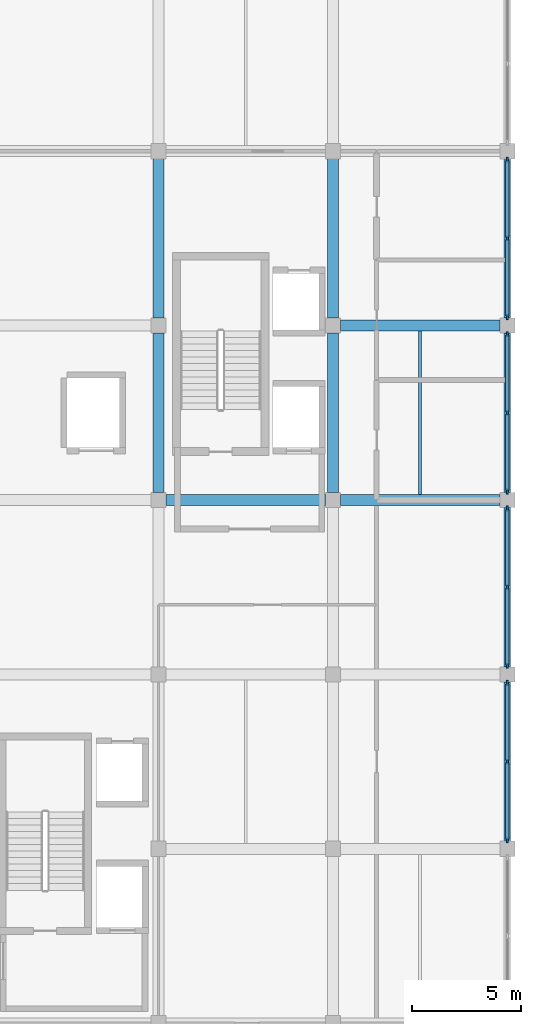
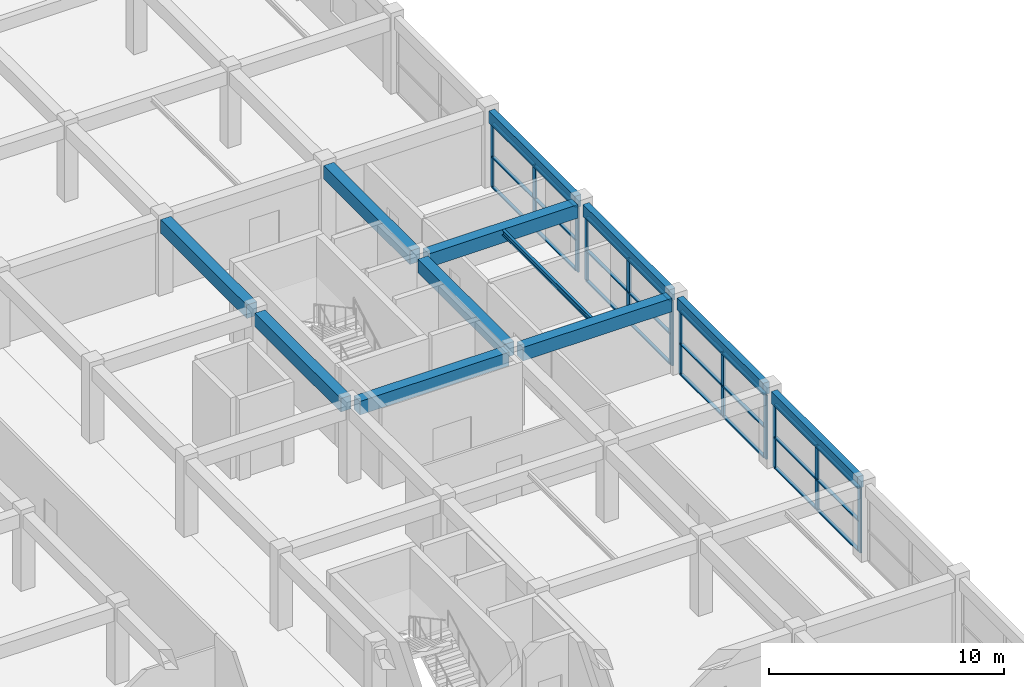
# One storey, part 23 of 67: 36 members, 12 beams, 4 elements without a shape of their own.
"""IFC4 building model written with IfcOpenShell, lengths in metres."""

from ifc_helpers import new_model, si_unit, direction, frame, origin, origin_2d, place, context, subcontext, project, spatial, rectangle, i_section, extrude, material, material_profile, profile_set, type_object, element, aggregate, save


model = new_model("IFC4")

# Units and contexts
model_context = context("Model", 3, precision=1e-05, world=origin(), true_north=direction((0.0, 1.0)))
body_context = subcontext(model_context, "Body", "Model", "MODEL_VIEW")
ifc_project = project(units=[si_unit("LENGTHUNIT", "METRE"), si_unit("AREAUNIT", "SQUARE_METRE"), si_unit("VOLUMEUNIT", "CUBIC_METRE"), si_unit("PLANEANGLEUNIT", "RADIAN"), si_unit("MASSUNIT", "GRAM", prefix="KILO")], contexts=[model_context])

# Site, building, storey
site_placement = place(None, origin())
site = spatial("IfcSite", under=ifc_project, at=site_placement, CompositionType="ELEMENT")
building_placement = place(site_placement, origin())
building = spatial("IfcBuilding", under=site, at=building_placement, Name="Kenh Van Central Station", CompositionType="ELEMENT")
storey_placement = place(building_placement, frame((0.0, 0.0, 10.800048828125)))
storey = spatial("IfcBuildingStorey", under=building, at=storey_placement, Name="L02", CompositionType="ELEMENT", Elevation=10.800048828125)

# Beams
ifc_material_1 = material(Name="Concrete C35/45", Category="concrete")
ifc_material_profile_1 = material_profile(ifc_material_1, rectangle(XDim=0.5, YDim=0.699951171875, at=origin_2d()), Name="RC 500x700")
ifc_profile_set_1 = profile_set([ifc_material_profile_1], Name="Concrete C35/45")
beam_type_1 = type_object("IfcBeamType", Name="BM-RC-500x700", PredefinedType="BEAM", material=ifc_profile_set_1)
for number, where, z_axis, x_axis, name in (
    (1, (160.340087890625, 48.0, 3.599853515625), (1.0, 0.0, 0.0), (0.0, 1.0, 0.0), "L02 beam 0978"),
    (2, (168.340087890625, 48.0, 3.599853515625), (1.0, 0.0, 0.0), (0.0, 1.0, 0.0), "L02 beam 0979"),
    (3, (168.340087890625, 56.0, 3.599853515625), (1.0, 0.0, 0.0), (0.0, 1.0, 0.0), "L02 beam 0985"),
    (4, (160.0, 48.340087890625, 3.599853515625), (0.0, 1.0, 0.0), (-1.0, 0.0, 0.0), "L02 beam 1069"),
    (5, (160.0, 56.340087890625, 3.599853515625), (0.0, 1.0, 0.0), (-1.0, 0.0, 0.0), "L02 beam 1070"),
    (6, (168.0, 48.340087890625, 3.599853515625), (0.0, 1.0, 0.0), (-1.0, 0.0, 0.0), "L02 beam 1078"),
    (7, (168.0, 56.340087890625, 3.599853515625), (0.0, 1.0, 0.0), (-1.0, 0.0, 0.0), "L02 beam 1079"),
):
    element("IfcBeam", number, at=place(storey_placement, frame(where, z_axis=z_axis, x_axis=x_axis)), inside=storey, type_object=beam_type_1, Name=name, PredefinedType="BEAM", context=body_context, shape_type="SweptSolid", body=[
        extrude(rectangle(XDim=0.5, YDim=0.699951171875, at=origin_2d()), origin(), (0.0, 0.0, 1.0), 7.31982421875),
    ])

# Curtain wall, members
ifc_material_2 = material(Name="Champagne anodised aluminium", Category="aluminium")
curtain_wall_type = type_object("IfcCurtainWallType", Name="CW-OPER-A", PredefinedType="NOTDEFINED", material=ifc_material_2)
curtain_wall_1_placement = place(storey_placement, origin())
curtain_wall_1 = element("IfcCurtainWall", 8, at=curtain_wall_1_placement, inside=storey, type_object=curtain_wall_type, Name="L02 curtain wall 192", PredefinedType="NOTDEFINED")
ifc_material_profile_2 = material_profile(ifc_material_2, rectangle(XDim=0.087890625, YDim=0.239990234375, at=origin_2d()), Name="AL 88x240")
ifc_profile_set_2 = profile_set([ifc_material_profile_2], Name="Champagne anodised aluminium")
member_type_1 = type_object("IfcMemberType", Name="CWM-60x140", PredefinedType="MULLION", material=ifc_profile_set_2)
member_1_placement = place(storey_placement, frame((176.0, 32.39404296875, 0.0), z_axis=(0.0, 0.0, 1.0), x_axis=(-1.0, 0.0, 0.0)))
member_1 = element("IfcMember", 9, at=member_1_placement, type_object=member_type_1, Name="CW-07 mullion 1", PredefinedType="MULLION", context=body_context, shape_type="SweptSolid", body=[
    extrude(rectangle(XDim=0.087890625, YDim=0.239990234375, at=origin_2d()), origin(), (0.0, 0.0, 1.0), 3.329833984375),
])
member_2_placement = place(storey_placement, frame((176.0, 36.0, 0.0), z_axis=(0.0, 0.0, 1.0), x_axis=(-1.0, 0.0, 0.0)))
member_2 = element("IfcMember", 10, at=member_2_placement, type_object=member_type_1, Name="CW-07 mullion 2", PredefinedType="MULLION", context=body_context, shape_type="SweptSolid", body=[
    extrude(rectangle(XDim=0.087890625, YDim=0.239990234375, at=origin_2d()), origin(), (0.0, 0.0, 1.0), 3.329833984375),
])
member_3_placement = place(storey_placement, frame((176.0, 39.60595703125, 0.0), z_axis=(0.0, 0.0, 1.0), x_axis=(-1.0, 0.0, 0.0)))
member_3 = element("IfcMember", 11, at=member_3_placement, type_object=member_type_1, Name="CW-07 mullion 3", PredefinedType="MULLION", context=body_context, shape_type="SweptSolid", body=[
    extrude(rectangle(XDim=0.087890625, YDim=0.239990234375, at=origin_2d()), origin(), (0.0, 0.0, 1.0), 3.329833984375),
])

curtain_wall_2_placement = place(storey_placement, origin())
curtain_wall_2 = element("IfcCurtainWall", 12, at=curtain_wall_2_placement, inside=storey, type_object=curtain_wall_type, Name="L02 curtain wall 193", PredefinedType="NOTDEFINED")
member_4_placement = place(storey_placement, frame((176.0, 40.39404296875, 0.0), z_axis=(0.0, 0.0, 1.0), x_axis=(-1.0, 0.0, 0.0)))
member_4 = element("IfcMember", 13, at=member_4_placement, type_object=member_type_1, Name="CW-07 mullion 1", PredefinedType="MULLION", context=body_context, shape_type="SweptSolid", body=[
    extrude(rectangle(XDim=0.087890625, YDim=0.239990234375, at=origin_2d()), origin(), (0.0, 0.0, 1.0), 3.329833984375),
])
member_5_placement = place(storey_placement, frame((176.0, 44.0, 0.0), z_axis=(0.0, 0.0, 1.0), x_axis=(-1.0, 0.0, 0.0)))
member_5 = element("IfcMember", 14, at=member_5_placement, type_object=member_type_1, Name="CW-07 mullion 2", PredefinedType="MULLION", context=body_context, shape_type="SweptSolid", body=[
    extrude(rectangle(XDim=0.087890625, YDim=0.239990234375, at=origin_2d()), origin(), (0.0, 0.0, 1.0), 3.329833984375),
])
member_6_placement = place(storey_placement, frame((176.0, 47.60595703125, 0.0), z_axis=(0.0, 0.0, 1.0), x_axis=(-1.0, 0.0, 0.0)))
member_6 = element("IfcMember", 15, at=member_6_placement, type_object=member_type_1, Name="CW-07 mullion 3", PredefinedType="MULLION", context=body_context, shape_type="SweptSolid", body=[
    extrude(rectangle(XDim=0.087890625, YDim=0.239990234375, at=origin_2d()), origin(), (0.0, 0.0, 1.0), 3.329833984375),
])

curtain_wall_3_placement = place(storey_placement, origin())
curtain_wall_3 = element("IfcCurtainWall", 16, at=curtain_wall_3_placement, inside=storey, type_object=curtain_wall_type, Name="L02 curtain wall 194", PredefinedType="NOTDEFINED")
member_7_placement = place(storey_placement, frame((176.0, 48.39404296875, 0.0), z_axis=(0.0, 0.0, 1.0), x_axis=(-1.0, 0.0, 0.0)))
member_7 = element("IfcMember", 17, at=member_7_placement, type_object=member_type_1, Name="CW-07 mullion 1", PredefinedType="MULLION", context=body_context, shape_type="SweptSolid", body=[
    extrude(rectangle(XDim=0.087890625, YDim=0.239990234375, at=origin_2d()), origin(), (0.0, 0.0, 1.0), 3.329833984375),
])
member_8_placement = place(storey_placement, frame((176.0, 52.0, 0.0), z_axis=(0.0, 0.0, 1.0), x_axis=(-1.0, 0.0, 0.0)))
member_8 = element("IfcMember", 18, at=member_8_placement, type_object=member_type_1, Name="CW-07 mullion 2", PredefinedType="MULLION", context=body_context, shape_type="SweptSolid", body=[
    extrude(rectangle(XDim=0.087890625, YDim=0.239990234375, at=origin_2d()), origin(), (0.0, 0.0, 1.0), 3.329833984375),
])
member_9_placement = place(storey_placement, frame((176.0, 55.60595703125, 0.0), z_axis=(0.0, 0.0, 1.0), x_axis=(-1.0, 0.0, 0.0)))
member_9 = element("IfcMember", 19, at=member_9_placement, type_object=member_type_1, Name="CW-07 mullion 3", PredefinedType="MULLION", context=body_context, shape_type="SweptSolid", body=[
    extrude(rectangle(XDim=0.087890625, YDim=0.239990234375, at=origin_2d()), origin(), (0.0, 0.0, 1.0), 3.329833984375),
])

curtain_wall_4_placement = place(storey_placement, origin())
curtain_wall_4 = element("IfcCurtainWall", 20, at=curtain_wall_4_placement, inside=storey, type_object=curtain_wall_type, Name="L02 curtain wall 195", PredefinedType="NOTDEFINED")
member_10_placement = place(storey_placement, frame((176.0, 56.39404296875, 0.0), z_axis=(0.0, 0.0, 1.0), x_axis=(-1.0, 0.0, 0.0)))
member_10 = element("IfcMember", 21, at=member_10_placement, type_object=member_type_1, Name="CW-07 mullion 1", PredefinedType="MULLION", context=body_context, shape_type="SweptSolid", body=[
    extrude(rectangle(XDim=0.087890625, YDim=0.239990234375, at=origin_2d()), origin(), (0.0, 0.0, 1.0), 3.329833984375),
])
member_11_placement = place(storey_placement, frame((176.0, 60.0, 0.0), z_axis=(0.0, 0.0, 1.0), x_axis=(-1.0, 0.0, 0.0)))
member_11 = element("IfcMember", 22, at=member_11_placement, type_object=member_type_1, Name="CW-07 mullion 2", PredefinedType="MULLION", context=body_context, shape_type="SweptSolid", body=[
    extrude(rectangle(XDim=0.087890625, YDim=0.239990234375, at=origin_2d()), origin(), (0.0, 0.0, 1.0), 3.329833984375),
])
member_12_placement = place(storey_placement, frame((176.0, 63.60595703125, 0.0), z_axis=(0.0, 0.0, 1.0), x_axis=(-1.0, 0.0, 0.0)))
member_12 = element("IfcMember", 23, at=member_12_placement, type_object=member_type_1, Name="CW-07 mullion 3", PredefinedType="MULLION", context=body_context, shape_type="SweptSolid", body=[
    extrude(rectangle(XDim=0.087890625, YDim=0.239990234375, at=origin_2d()), origin(), (0.0, 0.0, 1.0), 3.329833984375),
])

# Member
ifc_material_profile_3 = material_profile(ifc_material_2, rectangle(XDim=0.155029296875, YDim=0.072021484375, at=origin_2d()), Name="AL 155x72")
ifc_profile_set_3 = profile_set([ifc_material_profile_3], Name="Champagne anodised aluminium")
member_type_2 = type_object("IfcMemberType", Name="CWT-120x60", PredefinedType="USERDEFINED", material=ifc_profile_set_3)
member_13_placement = place(storey_placement, frame((176.0, 32.43798828125, 0.035888671875), z_axis=(0.0, 1.0, 0.0), x_axis=(-1.0, 0.0, 0.0)))
member_13 = element("IfcMember", 24, at=member_13_placement, type_object=member_type_2, Name="CW-07 transom 1.1", ObjectType="TRANSOM", PredefinedType="USERDEFINED", context=body_context, shape_type="SweptSolid", body=[
    extrude(rectangle(XDim=0.155029296875, YDim=0.072021484375, at=origin_2d()), origin(), (0.0, 0.0, 1.0), 3.51806640625),
])

member_14_placement = place(storey_placement, frame((176.0, 32.43798828125, 1.598388671875), z_axis=(0.0, 1.0, 0.0), x_axis=(-1.0, 0.0, 0.0)))
member_14 = element("IfcMember", 25, at=member_14_placement, type_object=member_type_2, Name="CW-07 transom 1.2", ObjectType="TRANSOM", PredefinedType="USERDEFINED", context=body_context, shape_type="SweptSolid", body=[
    extrude(rectangle(XDim=0.155029296875, YDim=0.072021484375, at=origin_2d()), origin(), (0.0, 0.0, 1.0), 3.51806640625),
])

member_15_placement = place(storey_placement, frame((176.0, 32.43798828125, 3.2939453125), z_axis=(0.0, 1.0, 0.0), x_axis=(-1.0, 0.0, 0.0)))
member_15 = element("IfcMember", 26, at=member_15_placement, type_object=member_type_2, Name="CW-07 transom 1.3", ObjectType="TRANSOM", PredefinedType="USERDEFINED", context=body_context, shape_type="SweptSolid", body=[
    extrude(rectangle(XDim=0.155029296875, YDim=0.072021484375, at=origin_2d()), origin(), (0.0, 0.0, 1.0), 3.51806640625),
])

member_16_placement = place(storey_placement, frame((176.0, 36.0439453125, 0.035888671875), z_axis=(0.0, 1.0, 0.0), x_axis=(-1.0, 0.0, 0.0)))
member_16 = element("IfcMember", 27, at=member_16_placement, type_object=member_type_2, Name="CW-07 transom 2.1", ObjectType="TRANSOM", PredefinedType="USERDEFINED", context=body_context, shape_type="SweptSolid", body=[
    extrude(rectangle(XDim=0.155029296875, YDim=0.072021484375, at=origin_2d()), origin(), (0.0, 0.0, 1.0), 3.51806640625),
])

member_17_placement = place(storey_placement, frame((176.0, 36.0439453125, 1.598388671875), z_axis=(0.0, 1.0, 0.0), x_axis=(-1.0, 0.0, 0.0)))
member_17 = element("IfcMember", 28, at=member_17_placement, type_object=member_type_2, Name="CW-07 transom 2.2", ObjectType="TRANSOM", PredefinedType="USERDEFINED", context=body_context, shape_type="SweptSolid", body=[
    extrude(rectangle(XDim=0.155029296875, YDim=0.072021484375, at=origin_2d()), origin(), (0.0, 0.0, 1.0), 3.51806640625),
])

member_18_placement = place(storey_placement, frame((176.0, 36.0439453125, 3.2939453125), z_axis=(0.0, 1.0, 0.0), x_axis=(-1.0, 0.0, 0.0)))
member_18 = element("IfcMember", 29, at=member_18_placement, type_object=member_type_2, Name="CW-07 transom 2.3", ObjectType="TRANSOM", PredefinedType="USERDEFINED", context=body_context, shape_type="SweptSolid", body=[
    extrude(rectangle(XDim=0.155029296875, YDim=0.072021484375, at=origin_2d()), origin(), (0.0, 0.0, 1.0), 3.51806640625),
])

aggregate(curtain_wall_1, [member_1, member_2, member_3, member_13, member_14, member_15, member_16, member_17, member_18])

member_19_placement = place(storey_placement, frame((176.0, 40.43798828125, 0.035888671875), z_axis=(0.0, 1.0, 0.0), x_axis=(-1.0, 0.0, 0.0)))
member_19 = element("IfcMember", 30, at=member_19_placement, type_object=member_type_2, Name="CW-07 transom 1.1", ObjectType="TRANSOM", PredefinedType="USERDEFINED", context=body_context, shape_type="SweptSolid", body=[
    extrude(rectangle(XDim=0.155029296875, YDim=0.072021484375, at=origin_2d()), origin(), (0.0, 0.0, 1.0), 3.51806640625),
])

member_20_placement = place(storey_placement, frame((176.0, 40.43798828125, 1.598388671875), z_axis=(0.0, 1.0, 0.0), x_axis=(-1.0, 0.0, 0.0)))
member_20 = element("IfcMember", 31, at=member_20_placement, type_object=member_type_2, Name="CW-07 transom 1.2", ObjectType="TRANSOM", PredefinedType="USERDEFINED", context=body_context, shape_type="SweptSolid", body=[
    extrude(rectangle(XDim=0.155029296875, YDim=0.072021484375, at=origin_2d()), origin(), (0.0, 0.0, 1.0), 3.51806640625),
])

member_21_placement = place(storey_placement, frame((176.0, 40.43798828125, 3.2939453125), z_axis=(0.0, 1.0, 0.0), x_axis=(-1.0, 0.0, 0.0)))
member_21 = element("IfcMember", 32, at=member_21_placement, type_object=member_type_2, Name="CW-07 transom 1.3", ObjectType="TRANSOM", PredefinedType="USERDEFINED", context=body_context, shape_type="SweptSolid", body=[
    extrude(rectangle(XDim=0.155029296875, YDim=0.072021484375, at=origin_2d()), origin(), (0.0, 0.0, 1.0), 3.51806640625),
])

member_22_placement = place(storey_placement, frame((176.0, 44.0439453125, 0.035888671875), z_axis=(0.0, 1.0, 0.0), x_axis=(-1.0, 0.0, 0.0)))
member_22 = element("IfcMember", 33, at=member_22_placement, type_object=member_type_2, Name="CW-07 transom 2.1", ObjectType="TRANSOM", PredefinedType="USERDEFINED", context=body_context, shape_type="SweptSolid", body=[
    extrude(rectangle(XDim=0.155029296875, YDim=0.072021484375, at=origin_2d()), origin(), (0.0, 0.0, 1.0), 3.51806640625),
])

member_23_placement = place(storey_placement, frame((176.0, 44.0439453125, 1.598388671875), z_axis=(0.0, 1.0, 0.0), x_axis=(-1.0, 0.0, 0.0)))
member_23 = element("IfcMember", 34, at=member_23_placement, type_object=member_type_2, Name="CW-07 transom 2.2", ObjectType="TRANSOM", PredefinedType="USERDEFINED", context=body_context, shape_type="SweptSolid", body=[
    extrude(rectangle(XDim=0.155029296875, YDim=0.072021484375, at=origin_2d()), origin(), (0.0, 0.0, 1.0), 3.51806640625),
])

member_24_placement = place(storey_placement, frame((176.0, 44.0439453125, 3.2939453125), z_axis=(0.0, 1.0, 0.0), x_axis=(-1.0, 0.0, 0.0)))
member_24 = element("IfcMember", 35, at=member_24_placement, type_object=member_type_2, Name="CW-07 transom 2.3", ObjectType="TRANSOM", PredefinedType="USERDEFINED", context=body_context, shape_type="SweptSolid", body=[
    extrude(rectangle(XDim=0.155029296875, YDim=0.072021484375, at=origin_2d()), origin(), (0.0, 0.0, 1.0), 3.51806640625),
])

aggregate(curtain_wall_2, [member_4, member_5, member_6, member_19, member_20, member_21, member_22, member_23, member_24])

member_25_placement = place(storey_placement, frame((176.0, 48.43798828125, 0.035888671875), z_axis=(0.0, 1.0, 0.0), x_axis=(-1.0, 0.0, 0.0)))
member_25 = element("IfcMember", 36, at=member_25_placement, type_object=member_type_2, Name="CW-07 transom 1.1", ObjectType="TRANSOM", PredefinedType="USERDEFINED", context=body_context, shape_type="SweptSolid", body=[
    extrude(rectangle(XDim=0.155029296875, YDim=0.072021484375, at=origin_2d()), origin(), (0.0, 0.0, 1.0), 3.51806640625),
])

member_26_placement = place(storey_placement, frame((176.0, 48.43798828125, 1.598388671875), z_axis=(0.0, 1.0, 0.0), x_axis=(-1.0, 0.0, 0.0)))
member_26 = element("IfcMember", 37, at=member_26_placement, type_object=member_type_2, Name="CW-07 transom 1.2", ObjectType="TRANSOM", PredefinedType="USERDEFINED", context=body_context, shape_type="SweptSolid", body=[
    extrude(rectangle(XDim=0.155029296875, YDim=0.072021484375, at=origin_2d()), origin(), (0.0, 0.0, 1.0), 3.51806640625),
])

member_27_placement = place(storey_placement, frame((176.0, 48.43798828125, 3.2939453125), z_axis=(0.0, 1.0, 0.0), x_axis=(-1.0, 0.0, 0.0)))
member_27 = element("IfcMember", 38, at=member_27_placement, type_object=member_type_2, Name="CW-07 transom 1.3", ObjectType="TRANSOM", PredefinedType="USERDEFINED", context=body_context, shape_type="SweptSolid", body=[
    extrude(rectangle(XDim=0.155029296875, YDim=0.072021484375, at=origin_2d()), origin(), (0.0, 0.0, 1.0), 3.51806640625),
])

member_28_placement = place(storey_placement, frame((176.0, 52.0439453125, 0.035888671875), z_axis=(0.0, 1.0, 0.0), x_axis=(-1.0, 0.0, 0.0)))
member_28 = element("IfcMember", 39, at=member_28_placement, type_object=member_type_2, Name="CW-07 transom 2.1", ObjectType="TRANSOM", PredefinedType="USERDEFINED", context=body_context, shape_type="SweptSolid", body=[
    extrude(rectangle(XDim=0.155029296875, YDim=0.072021484375, at=origin_2d()), origin(), (0.0, 0.0, 1.0), 3.51806640625),
])

member_29_placement = place(storey_placement, frame((176.0, 52.0439453125, 1.598388671875), z_axis=(0.0, 1.0, 0.0), x_axis=(-1.0, 0.0, 0.0)))
member_29 = element("IfcMember", 40, at=member_29_placement, type_object=member_type_2, Name="CW-07 transom 2.2", ObjectType="TRANSOM", PredefinedType="USERDEFINED", context=body_context, shape_type="SweptSolid", body=[
    extrude(rectangle(XDim=0.155029296875, YDim=0.072021484375, at=origin_2d()), origin(), (0.0, 0.0, 1.0), 3.51806640625),
])

member_30_placement = place(storey_placement, frame((176.0, 52.0439453125, 3.2939453125), z_axis=(0.0, 1.0, 0.0), x_axis=(-1.0, 0.0, 0.0)))
member_30 = element("IfcMember", 41, at=member_30_placement, type_object=member_type_2, Name="CW-07 transom 2.3", ObjectType="TRANSOM", PredefinedType="USERDEFINED", context=body_context, shape_type="SweptSolid", body=[
    extrude(rectangle(XDim=0.155029296875, YDim=0.072021484375, at=origin_2d()), origin(), (0.0, 0.0, 1.0), 3.51806640625),
])

aggregate(curtain_wall_3, [member_7, member_8, member_9, member_25, member_26, member_27, member_28, member_29, member_30])

member_31_placement = place(storey_placement, frame((176.0, 56.43798828125, 0.035888671875), z_axis=(0.0, 1.0, 0.0), x_axis=(-1.0, 0.0, 0.0)))
member_31 = element("IfcMember", 42, at=member_31_placement, type_object=member_type_2, Name="CW-07 transom 1.1", ObjectType="TRANSOM", PredefinedType="USERDEFINED", context=body_context, shape_type="SweptSolid", body=[
    extrude(rectangle(XDim=0.155029296875, YDim=0.072021484375, at=origin_2d()), origin(), (0.0, 0.0, 1.0), 3.51806640625),
])

member_32_placement = place(storey_placement, frame((176.0, 56.43798828125, 1.598388671875), z_axis=(0.0, 1.0, 0.0), x_axis=(-1.0, 0.0, 0.0)))
member_32 = element("IfcMember", 43, at=member_32_placement, type_object=member_type_2, Name="CW-07 transom 1.2", ObjectType="TRANSOM", PredefinedType="USERDEFINED", context=body_context, shape_type="SweptSolid", body=[
    extrude(rectangle(XDim=0.155029296875, YDim=0.072021484375, at=origin_2d()), origin(), (0.0, 0.0, 1.0), 3.51806640625),
])

member_33_placement = place(storey_placement, frame((176.0, 56.43798828125, 3.2939453125), z_axis=(0.0, 1.0, 0.0), x_axis=(-1.0, 0.0, 0.0)))
member_33 = element("IfcMember", 44, at=member_33_placement, type_object=member_type_2, Name="CW-07 transom 1.3", ObjectType="TRANSOM", PredefinedType="USERDEFINED", context=body_context, shape_type="SweptSolid", body=[
    extrude(rectangle(XDim=0.155029296875, YDim=0.072021484375, at=origin_2d()), origin(), (0.0, 0.0, 1.0), 3.51806640625),
])

member_34_placement = place(storey_placement, frame((176.0, 60.0439453125, 0.035888671875), z_axis=(0.0, 1.0, 0.0), x_axis=(-1.0, 0.0, 0.0)))
member_34 = element("IfcMember", 45, at=member_34_placement, type_object=member_type_2, Name="CW-07 transom 2.1", ObjectType="TRANSOM", PredefinedType="USERDEFINED", context=body_context, shape_type="SweptSolid", body=[
    extrude(rectangle(XDim=0.155029296875, YDim=0.072021484375, at=origin_2d()), origin(), (0.0, 0.0, 1.0), 3.51806640625),
])

member_35_placement = place(storey_placement, frame((176.0, 60.0439453125, 1.598388671875), z_axis=(0.0, 1.0, 0.0), x_axis=(-1.0, 0.0, 0.0)))
member_35 = element("IfcMember", 46, at=member_35_placement, type_object=member_type_2, Name="CW-07 transom 2.2", ObjectType="TRANSOM", PredefinedType="USERDEFINED", context=body_context, shape_type="SweptSolid", body=[
    extrude(rectangle(XDim=0.155029296875, YDim=0.072021484375, at=origin_2d()), origin(), (0.0, 0.0, 1.0), 3.51806640625),
])

member_36_placement = place(storey_placement, frame((176.0, 60.0439453125, 3.2939453125), z_axis=(0.0, 1.0, 0.0), x_axis=(-1.0, 0.0, 0.0)))
member_36 = element("IfcMember", 47, at=member_36_placement, type_object=member_type_2, Name="CW-07 transom 2.3", ObjectType="TRANSOM", PredefinedType="USERDEFINED", context=body_context, shape_type="SweptSolid", body=[
    extrude(rectangle(XDim=0.155029296875, YDim=0.072021484375, at=origin_2d()), origin(), (0.0, 0.0, 1.0), 3.51806640625),
])

aggregate(curtain_wall_4, [member_10, member_11, member_12, member_31, member_32, member_33, member_34, member_35, member_36])

# Beams
ifc_material_3 = material(Name="Steel S355", Category="steel")
ifc_material_profile_4 = material_profile(ifc_material_3, i_section(OverallWidth=0.135009765625, OverallDepth=0.27001953125, WebThickness=0.006591796875, FlangeThickness=0.01025390625, FilletRadius=0.014892578125, at=origin_2d()), Name="IPE 270")
ifc_profile_set_4 = profile_set([ifc_material_profile_4], Name="Steel S355")
beam_type_2 = type_object("IfcBeamType", Name="JST-STL-IPE270", PredefinedType="JOIST", material=ifc_profile_set_4)
beam_placement = place(storey_placement, frame((172.0, 48.25, 3.81494140625), z_axis=(0.0, 1.0, 0.0), x_axis=(-1.0, 0.0, 0.0)))
element("IfcBeam", 48, at=beam_placement, inside=storey, type_object=beam_type_2, Name="L02 floor joist 1103", PredefinedType="JOIST", context=body_context, shape_type="SweptSolid", body=[
    extrude(i_section(OverallWidth=0.135009765625, OverallDepth=0.27001953125, WebThickness=0.006591796875, FlangeThickness=0.01025390625, FilletRadius=0.014892578125, at=origin_2d()), origin(), (0.0, 0.0, 1.0), 7.5),
])
ifc_material_profile_5 = material_profile(ifc_material_1, rectangle(XDim=0.300048828125, YDim=0.6201171875, at=origin_2d()), Name="RC 300x620")
ifc_profile_set_5 = profile_set([ifc_material_profile_5], Name="Concrete C35/45")
beam_type_3 = type_object("IfcBeamType", Name="SPD-RC-300x620", PredefinedType="SPANDREL", material=ifc_profile_set_5)
for number, where, z_axis, x_axis, name in (
    (49, (176.0, 32.340087890625, 3.639892578125), (0.0, 1.0, 0.0), (-1.0, 0.0, 0.0), "L02 beam 1085"),
    (50, (176.0, 40.340087890625, 3.639892578125), (0.0, 1.0, 0.0), (-1.0, 0.0, 0.0), "L02 beam 1086"),
    (51, (176.0, 48.340087890625, 3.639892578125), (0.0, 1.0, 0.0), (-1.0, 0.0, 0.0), "L02 beam 1087"),
    (52, (176.0, 56.340087890625, 3.639892578125), (0.0, 1.0, 0.0), (-1.0, 0.0, 0.0), "L02 beam 1088"),
):
    element("IfcBeam", number, at=place(storey_placement, frame(where, z_axis=z_axis, x_axis=x_axis)), inside=storey, type_object=beam_type_3, Name=name, PredefinedType="SPANDREL", context=body_context, shape_type="SweptSolid", body=[
        extrude(rectangle(XDim=0.300048828125, YDim=0.6201171875, at=origin_2d()), origin(), (0.0, 0.0, 1.0), 7.31982421875),
    ])

save(model, "model.ifc")
